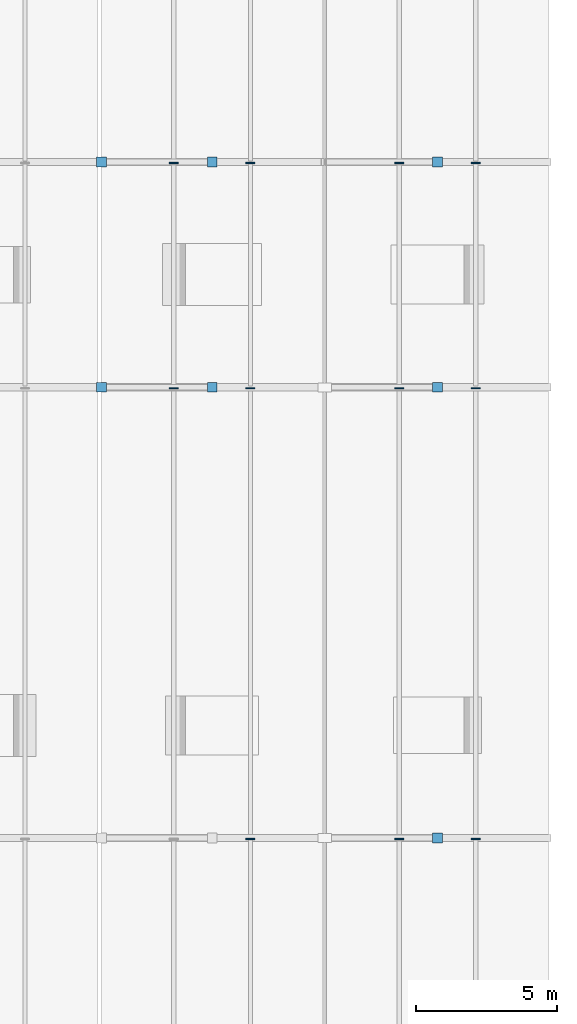
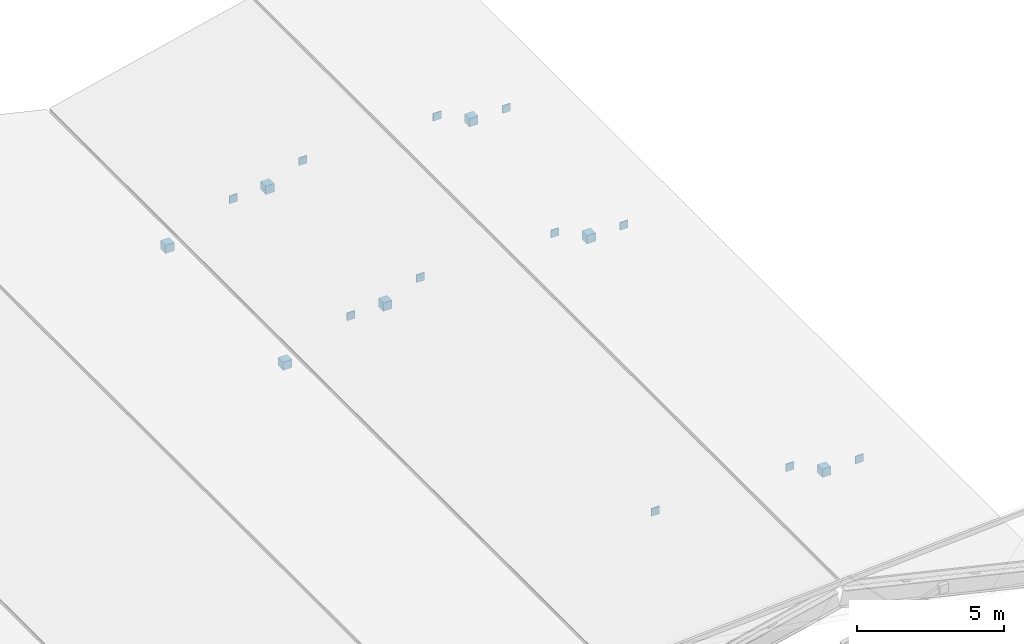
# One storey, part 57 of 67: 18 discrete accessories.
"""IFC4 building model written with IfcOpenShell, lengths in metres."""

from ifc_helpers import new_model, si_unit, direction, frame, origin, origin_2d, place, context, subcontext, project, spatial, rectangle, extrude, material, type_object, element, save


model = new_model("IFC4")

# Units and contexts
model_context = context("Model", 3, precision=1e-05, world=origin(), true_north=direction((0.0, 1.0)))
body_context = subcontext(model_context, "Body", "Model", "MODEL_VIEW")
ifc_project = project(units=[si_unit("LENGTHUNIT", "METRE"), si_unit("AREAUNIT", "SQUARE_METRE"), si_unit("VOLUMEUNIT", "CUBIC_METRE"), si_unit("PLANEANGLEUNIT", "RADIAN"), si_unit("MASSUNIT", "GRAM", prefix="KILO")], contexts=[model_context])

# Site, building, storey
site_placement = place(None, origin())
site = spatial("IfcSite", under=ifc_project, at=site_placement, CompositionType="ELEMENT")
building_placement = place(site_placement, origin())
building = spatial("IfcBuilding", under=site, at=building_placement, Name="Drelvath Fold Interchange", CompositionType="ELEMENT")
storey_placement = place(building_placement, frame((0.0, 0.0, 15.60009765625)))
storey = spatial("IfcBuildingStorey", under=building, at=storey_placement, Name="L03", CompositionType="ELEMENT", Elevation=15.60009765625)

# Discrete accessories
ifc_material = material(Name="Steel ASTM A572 Grade 50", Category="steel")
discrete_accessory_type = type_object("IfcDiscreteAccessoryType", Name="AC-CAP380", PredefinedType="BRACKET", material=ifc_material)
for number, where, z_axis, x_axis, name in (
    (1, (68.074951171875, 83.0, -0.42236328125), (0.0, 0.0, 1.0), (1.0, 0.0, 0.0), "Welded hollow member end cap 476"),
    (2, (72.0048828125, 83.0, 0.654296875), (0.0, 0.0, 1.0), (1.0, 0.0, 0.0), "Welded hollow member end cap 477"),
    (3, (68.074951171875, 91.0, -0.42236328125), (0.0, 0.0, 1.0), (1.0, 0.0, 0.0), "Welded hollow member end cap 479"),
    (4, (72.0048828125, 91.0, 0.654296875), (0.0, 0.0, 1.0), (1.0, 0.0, 0.0), "Welded hollow member end cap 480"),
):
    element("IfcDiscreteAccessory", number, at=place(storey_placement, frame(where, z_axis=z_axis, x_axis=x_axis)), inside=storey, type_object=discrete_accessory_type, Name=name, PredefinedType="BRACKET", context=body_context, shape_type="SweptSolid", body=[
        extrude(rectangle(XDim=0.343017578125, YDim=0.343017578125, at=origin_2d()), origin(), (0.0, 0.0, 1.0), 0.343017578125),
    ])
for number, where, z_axis, x_axis, name in (
    (5, (70.639892578125, 82.965087890625, 0.6708984375), (0.0, 0.0, 1.0), (1.0, 0.0, 0.0), "Welded hollow member end cap 486"),
    (6, (70.639892578125, 90.965087890625, 0.6708984375), (0.0, 0.0, 1.0), (1.0, 0.0, 0.0), "Welded hollow member end cap 487"),
    (7, (73.360107421875, 66.965087890625, 1.2998046875), (0.0, 0.0, 1.0), (1.0, 0.0, 0.0), "Welded hollow member end cap 490"),
    (8, (73.360107421875, 82.965087890625, 1.2998046875), (0.0, 0.0, 1.0), (1.0, 0.0, 0.0), "Welded hollow member end cap 491"),
    (9, (73.360107421875, 90.965087890625, 1.2998046875), (0.0, 0.0, 1.0), (1.0, 0.0, 0.0), "Welded hollow member end cap 492"),
):
    element("IfcDiscreteAccessory", number, at=place(storey_placement, frame(where, z_axis=z_axis, x_axis=x_axis)), inside=storey, type_object=discrete_accessory_type, Name=name, PredefinedType="BRACKET", context=body_context, shape_type="SweptSolid", body=[
        extrude(rectangle(XDim=0.31396484375, YDim=0.0400390625, at=origin_2d()), origin(), (0.0, 0.0, 1.0), 0.31396484375),
    ])
for number, where, z_axis, x_axis, name in (
    (10, (80.0048828125, 67.0, 0.654296875), (0.0, 0.0, 1.0), (1.0, 0.0, 0.0), "Welded hollow member end cap 497"),
    (11, (80.0048828125, 83.0, 0.654296875), (0.0, 0.0, 1.0), (1.0, 0.0, 0.0), "Welded hollow member end cap 499"),
    (12, (80.0048828125, 91.0, 0.654296875), (0.0, 0.0, 1.0), (1.0, 0.0, 0.0), "Welded hollow member end cap 501"),
):
    element("IfcDiscreteAccessory", number, at=place(storey_placement, frame(where, z_axis=z_axis, x_axis=x_axis)), inside=storey, type_object=discrete_accessory_type, Name=name, PredefinedType="BRACKET", context=body_context, shape_type="SweptSolid", body=[
        extrude(rectangle(XDim=0.343017578125, YDim=0.343017578125, at=origin_2d()), origin(), (0.0, 0.0, 1.0), 0.343017578125),
    ])
for number, where, z_axis, x_axis, name in (
    (13, (78.639892578125, 66.965087890625, 1.2998046875), (0.0, 0.0, 1.0), (1.0, 0.0, 0.0), "Welded hollow member end cap 505"),
    (14, (78.639892578125, 82.965087890625, 1.2998046875), (0.0, 0.0, 1.0), (1.0, 0.0, 0.0), "Welded hollow member end cap 506"),
    (15, (78.639892578125, 90.965087890625, 1.2998046875), (0.0, 0.0, 1.0), (1.0, 0.0, 0.0), "Welded hollow member end cap 507"),
    (16, (81.360107421875, 66.965087890625, 0.6708984375), (0.0, 0.0, 1.0), (1.0, 0.0, 0.0), "Welded hollow member end cap 510"),
    (17, (81.360107421875, 82.965087890625, 0.6708984375), (0.0, 0.0, 1.0), (1.0, 0.0, 0.0), "Welded hollow member end cap 511"),
    (18, (81.360107421875, 90.965087890625, 0.6708984375), (0.0, 0.0, 1.0), (1.0, 0.0, 0.0), "Welded hollow member end cap 512"),
):
    element("IfcDiscreteAccessory", number, at=place(storey_placement, frame(where, z_axis=z_axis, x_axis=x_axis)), inside=storey, type_object=discrete_accessory_type, Name=name, PredefinedType="BRACKET", context=body_context, shape_type="SweptSolid", body=[
        extrude(rectangle(XDim=0.31396484375, YDim=0.0400390625, at=origin_2d()), origin(), (0.0, 0.0, 1.0), 0.31396484375),
    ])

save(model, "model.ifc")
